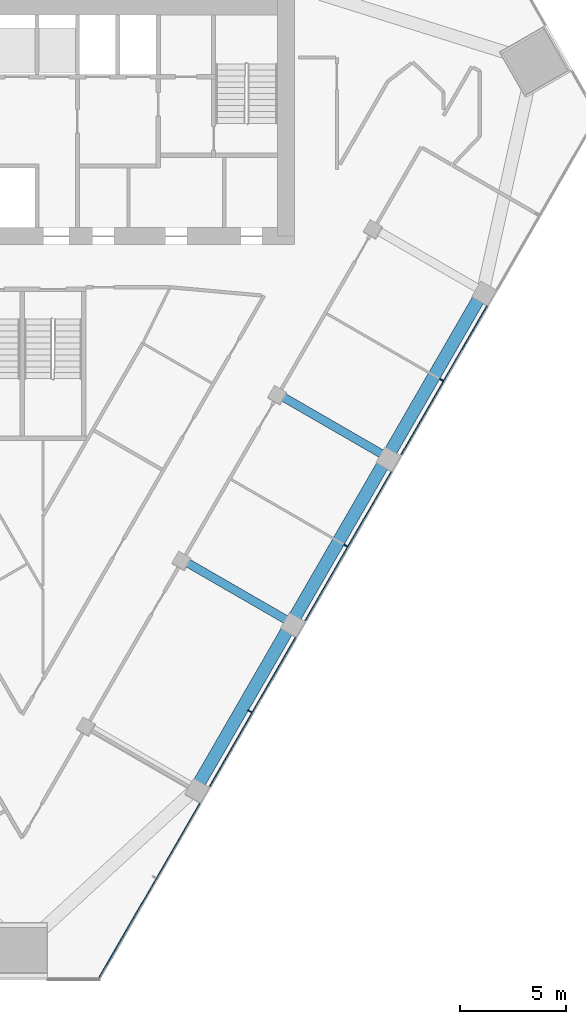
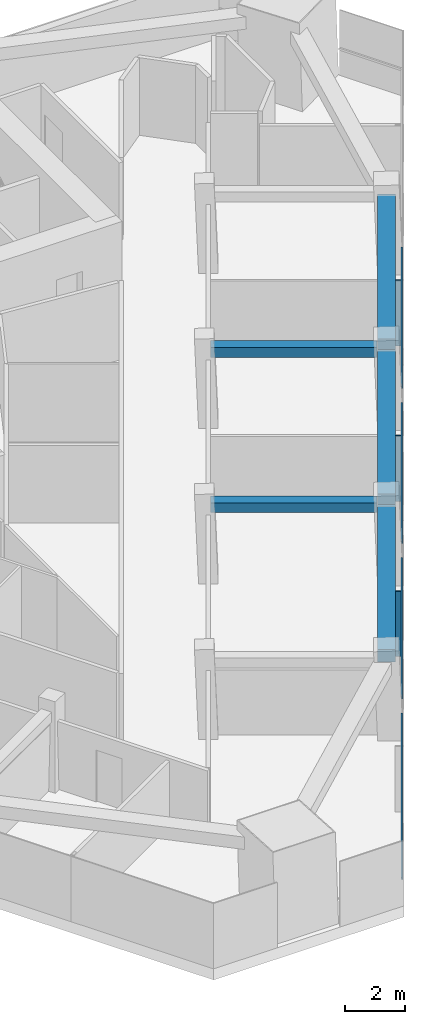
# One storey, part 4 of 13: 7 members, 5 beams, 1 element without a shape of its own.
"""IFC4 building model written with IfcOpenShell, lengths in metres."""

from ifc_helpers import new_model, si_unit, direction, frame, origin, origin_2d, place, context, subcontext, project, spatial, rectangle, extrude, material, layer, layer_set, material_profile, profile_set, type_object, element, aggregate, save


model = new_model("IFC4")

# Units and contexts
model_context = context("Model", 3, precision=1e-05, world=origin(), true_north=direction((0.0, 1.0)))
body_context = subcontext(model_context, "Body", "Model", "MODEL_VIEW")
ifc_project = project(units=[si_unit("LENGTHUNIT", "METRE"), si_unit("AREAUNIT", "SQUARE_METRE"), si_unit("VOLUMEUNIT", "CUBIC_METRE"), si_unit("PLANEANGLEUNIT", "RADIAN"), si_unit("MASSUNIT", "GRAM", prefix="KILO")], contexts=[model_context])

# Site, building, storey
site_placement = place(None, origin())
site = spatial("IfcSite", under=ifc_project, at=site_placement, CompositionType="ELEMENT")
building_placement = place(site_placement, origin())
building = spatial("IfcBuilding", under=site, at=building_placement, Name="Altiplano Prism Tower", CompositionType="ELEMENT")
storey_placement = place(building_placement, frame((0.0, 0.0, 153.0)))
storey = spatial("IfcBuildingStorey", under=building, at=storey_placement, Name="L39", CompositionType="ELEMENT", Elevation=153.0)

# Curtain wall, members
ifc_material_1 = material(Name="Aluminium and glass", Category="aluminium")
ifc_layer = layer(ifc_material_1, 0.303955078125)
ifc_layer_set = layer_set([ifc_layer], Name="Aluminium and glass")
curtain_wall_type = type_object("IfcCurtainWallType", Name="CW2 lounge-band unitised glazing", PredefinedType="NOTDEFINED", material=ifc_layer_set)
curtain_wall_placement = place(storey_placement, origin())
curtain_wall = element("IfcCurtainWall", 1, at=curtain_wall_placement, inside=storey, type_object=curtain_wall_type, Name="CW2 curtain wall south-east face L39", PredefinedType="NOTDEFINED")
ifc_material_2 = material(Name="Aluminium", Category="aluminium")
ifc_material_profile_1 = material_profile(ifc_material_2, rectangle(XDim=0.199951171875, YDim=0.06005859375, at=origin_2d()), Name="CW2 mullion 60 x 200")
ifc_profile_set_1 = profile_set([ifc_material_profile_1], Name="Aluminium")
member_type_1 = type_object("IfcMemberType", Name="CW2 mullion 60 x 200", PredefinedType="MULLION", material=ifc_profile_set_1)
member_1_placement = place(storey_placement, frame((95.710205078125, 70.656982421875, 0.0), z_axis=(0.0, 0.0, 1.0), x_axis=(-0.866025404064, 0.499999999516, 0.0)))
member_1 = element("IfcMember", 2, at=member_1_placement, type_object=member_type_1, Name="CW2 mullion", PredefinedType="MULLION", context=body_context, shape_type="SweptSolid", body=[
    extrude(rectangle(XDim=0.199951171875, YDim=0.06005859375, at=origin_2d()), origin(), (0.0, 0.0, 1.0), 2.64990234375),
])
member_2_placement = place(storey_placement, frame((100.210205078125, 78.451171875, 0.0), z_axis=(0.0, 0.0, 1.0), x_axis=(-0.866025404064, 0.499999999516, 0.0)))
member_2 = element("IfcMember", 3, at=member_2_placement, type_object=member_type_1, Name="CW2 mullion", PredefinedType="MULLION", context=body_context, shape_type="SweptSolid", body=[
    extrude(rectangle(XDim=0.199951171875, YDim=0.06005859375, at=origin_2d()), origin(), (0.0, 0.0, 1.0), 2.64990234375),
])
member_3_placement = place(storey_placement, frame((104.710205078125, 86.245361328125, 0.0), z_axis=(0.0, 0.0, 1.0), x_axis=(-0.866025404064, 0.499999999516, 0.0)))
member_3 = element("IfcMember", 4, at=member_3_placement, type_object=member_type_1, Name="CW2 mullion", PredefinedType="MULLION", context=body_context, shape_type="SweptSolid", body=[
    extrude(rectangle(XDim=0.199951171875, YDim=0.06005859375, at=origin_2d()), origin(), (0.0, 0.0, 1.0), 2.64990234375),
])
ifc_material_profile_2 = material_profile(ifc_material_2, rectangle(XDim=0.06005859375, YDim=0.080078125, at=origin_2d()), Name="CW2 transom 80 x 60")
ifc_profile_set_2 = profile_set([ifc_material_profile_2], Name="Aluminium")
member_type_2 = type_object("IfcMemberType", Name="CW2 transom 80 x 60", PredefinedType="USERDEFINED", material=ifc_profile_set_2)
member_4_placement = place(storey_placement, frame((88.5888671875, 58.0625, 1.10009765625), z_axis=(0.50001627395, 0.866016007811, 0.0), x_axis=(-0.866016007811, 0.50001627395, 0.0)))
member_4 = element("IfcMember", 5, at=member_4_placement, type_object=member_type_2, Name="CW2 transom", ObjectType="TRANSOM", PredefinedType="USERDEFINED", context=body_context, shape_type="SweptSolid", body=[
    extrude(rectangle(XDim=0.06005859375, YDim=0.080078125, at=origin_2d()), origin(), (0.0, 0.0, 1.0), 9.542236328125),
])
member_5_placement = place(storey_placement, frame((93.824951171875, 67.131591796875, 1.10009765625), z_axis=(0.500017497958, 0.866015301098, 0.0), x_axis=(-0.866015301098, 0.500017497958, 0.0)))
member_5 = element("IfcMember", 6, at=member_5_placement, type_object=member_type_2, Name="CW2 transom", ObjectType="TRANSOM", PredefinedType="USERDEFINED", context=body_context, shape_type="SweptSolid", body=[
    extrude(rectangle(XDim=0.06005859375, YDim=0.080078125, at=origin_2d()), origin(), (0.0, 0.0, 1.0), 8.070068359375),
])
member_6_placement = place(storey_placement, frame((98.324951171875, 74.926025390625, 1.10009765625), z_axis=(0.500030598376, 0.866007737083, 0.0), x_axis=(-0.866007737083, 0.500030598376, 0.0)))
member_6 = element("IfcMember", 7, at=member_6_placement, type_object=member_type_2, Name="CW2 transom", ObjectType="TRANSOM", PredefinedType="USERDEFINED", context=body_context, shape_type="SweptSolid", body=[
    extrude(rectangle(XDim=0.06005859375, YDim=0.080078125, at=origin_2d()), origin(), (0.0, 0.0, 1.0), 8.06982421875),
])
member_7_placement = place(storey_placement, frame((102.824951171875, 82.72021484375, 1.10009765625), z_axis=(0.500030598376, 0.866007737083, 0.0), x_axis=(-0.866007737083, 0.500030598376, 0.0)))
member_7 = element("IfcMember", 8, at=member_7_placement, type_object=member_type_2, Name="CW2 transom", ObjectType="TRANSOM", PredefinedType="USERDEFINED", context=body_context, shape_type="SweptSolid", body=[
    extrude(rectangle(XDim=0.06005859375, YDim=0.080078125, at=origin_2d()), origin(), (0.0, 0.0, 1.0), 8.06982421875),
])
aggregate(curtain_wall, [member_4, member_1, member_5, member_2, member_6, member_3, member_7])

# Beams
ifc_material_3 = material(Name="Concrete C60/75", Category="concrete")
ifc_material_profile_3 = material_profile(ifc_material_3, rectangle(XDim=0.60009765625, YDim=0.5, at=origin_2d()), Name="Edge beam 600x500")
ifc_profile_set_3 = profile_set([ifc_material_profile_3], Name="Concrete C60/75")
beam_type_1 = type_object("IfcBeamType", Name="Edge beam 600x500", PredefinedType="SPANDREL", material=ifc_profile_set_3)
for number, where, z_axis, x_axis, name in (
    (9, (93.319580078125, 67.285400390625, 2.89990234375), (0.499997845736, 0.866026647546, 0.0), (-0.866026647546, 0.499997845736, 0.0), "Edge beam P21-P22 L40"),
    (10, (97.819580078125, 75.07958984375, 2.89990234375), (0.499997845736, 0.866026647546, 0.0), (-0.866026647546, 0.499997845736, 0.0), "Edge beam P22-P23 L40"),
):
    element("IfcBeam", number, at=place(storey_placement, frame(where, z_axis=z_axis, x_axis=x_axis)), inside=storey, type_object=beam_type_1, Name=name, PredefinedType="SPANDREL", context=body_context, shape_type="SweptSolid", body=[
        extrude(rectangle(XDim=0.60009765625, YDim=0.5, at=origin_2d()), origin(), (0.0, 0.0, 1.0), 8.39013671875),
    ])
beam_placement = place(storey_placement, frame((102.319580078125, 82.8740234375, 2.89990234375), z_axis=(0.500010445942, 0.866019372733, 0.0), x_axis=(-0.866019372733, 0.500010445942, 0.0)))
element("IfcBeam", 11, at=beam_placement, inside=storey, type_object=beam_type_1, Name="Edge beam P23-P24 L40", PredefinedType="SPANDREL", context=body_context, shape_type="SweptSolid", body=[
    extrude(rectangle(XDim=0.60009765625, YDim=0.5, at=origin_2d()), origin(), (0.0, 0.0, 1.0), 8.389892578125),
])
ifc_material_profile_4 = material_profile(ifc_material_3, rectangle(XDim=0.39990234375, YDim=0.39990234375, at=origin_2d()), Name="Tie beam 400x400")
ifc_profile_set_4 = profile_set([ifc_material_profile_4], Name="Concrete C60/75")
beam_type_2 = type_object("IfcBeamType", Name="Tie beam 400x400", PredefinedType="BEAM", material=ifc_profile_set_4)
for number, where, z_axis, x_axis, name in (
    (12, (92.605224609375, 77.738037109375, 2.949951171875), (0.866027073272, -0.499997108352, 0.0), (0.499997108352, 0.866027073272, 0.0), "Tie beam I22 L40"),
    (13, (97.105224609375, 85.5322265625, 2.949951171875), (0.866027073272, -0.499997108352, 0.0), (0.499997108352, 0.866027073272, 0.0), "Tie beam I23 L40"),
):
    element("IfcBeam", number, at=place(storey_placement, frame(where, z_axis=z_axis, x_axis=x_axis)), inside=storey, type_object=beam_type_2, Name=name, PredefinedType="BEAM", context=body_context, shape_type="SweptSolid", body=[
        extrude(rectangle(XDim=0.39990234375, YDim=0.39990234375, at=origin_2d()), origin(), (0.0, 0.0, 1.0), 5.5400390625),
    ])

save(model, "model.ifc")
